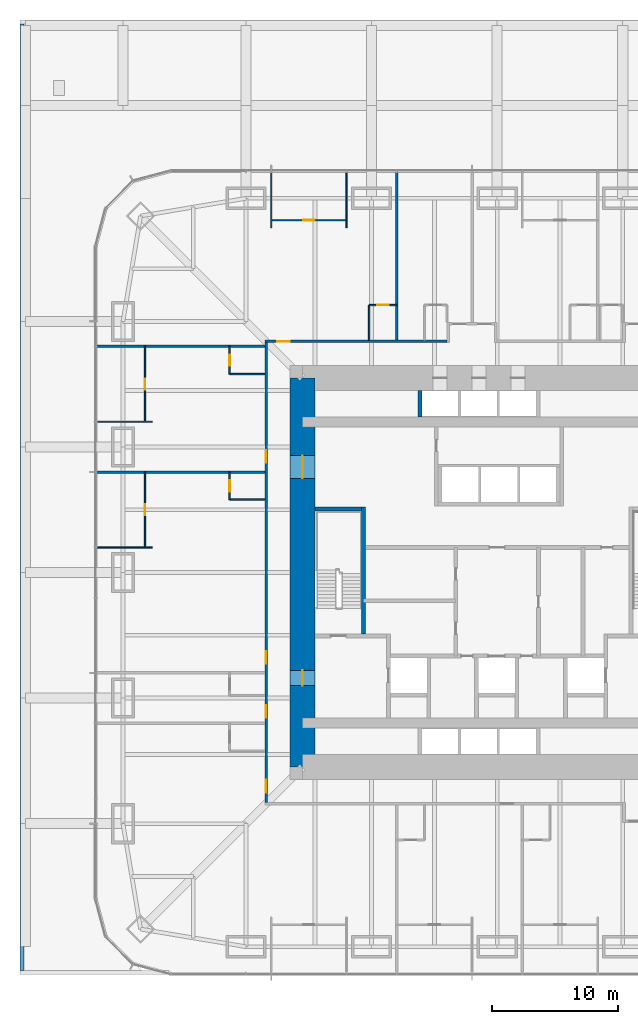
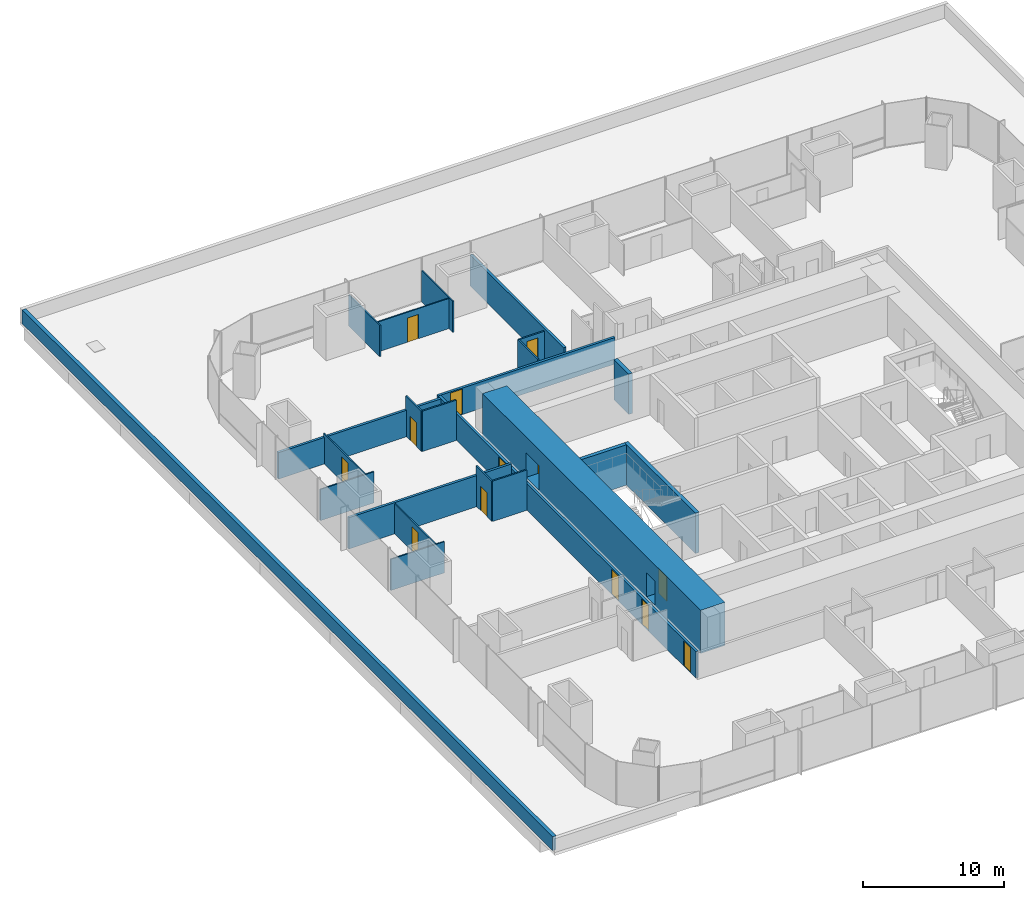
# One storey, part 16 of 20: 23 walls, 13 doors, 13 openings.
"""IFC4 building model written with IfcOpenShell, lengths in metres."""

from ifc_helpers import new_model, si_unit, direction, frame, frame_2d, origin, place, context, subcontext, project, spatial, rectangle, extrude, material, layer, layer_set, type_object, element, fill, save


model = new_model("IFC4")

# Units and contexts
model_context = context("Model", 3, precision=1e-05, world=origin(), true_north=direction((0.0, 1.0)))
body_context = subcontext(model_context, "Body", "Model", "MODEL_VIEW")
ifc_project = project(units=[si_unit("LENGTHUNIT", "METRE"), si_unit("AREAUNIT", "SQUARE_METRE"), si_unit("VOLUMEUNIT", "CUBIC_METRE"), si_unit("PLANEANGLEUNIT", "RADIAN"), si_unit("MASSUNIT", "GRAM", prefix="KILO")], contexts=[model_context])

# Site, building, storey
site_placement = place(None, origin())
site = spatial("IfcSite", under=ifc_project, at=site_placement, CompositionType="ELEMENT")
building_placement = place(site_placement, origin())
building = spatial("IfcBuilding", under=site, at=building_placement, Name="Khuree Lantern Residences", CompositionType="ELEMENT")
storey_placement = place(building_placement, frame((0.0, 0.0, 21.0)))
storey = spatial("IfcBuildingStorey", under=building, at=storey_placement, Name="L04", CompositionType="ELEMENT", Elevation=21.0)

# Wall, opening, door
ifc_material_1 = material(Name="Moisture-resistant gypsum board on steel studs", Category="steel")
ifc_layer_1 = layer(ifc_material_1, 0.125)
ifc_layer_set_1 = layer_set([ifc_layer_1], Name="BATHROOM WALL BTW125")
wall_type_1 = type_object("IfcWallType", Name="BATHROOM WALL BTW125", PredefinedType="PARTITIONING", material=ifc_layer_set_1)
wall_1_placement = place(storey_placement, frame((-8.0, 21.300048828125, 0.0), z_axis=(0.0, 0.0, 1.0), x_axis=(-1.0, 0.0, 0.0)))
wall_1 = element("IfcWall", 1, at=wall_1_placement, inside=storey, type_object=wall_type_1, Name="L04 BATHROOM WALL 06", PredefinedType="PARTITIONING", context=body_context, shape_type="SweptSolid", body=[
    extrude(rectangle(XDim=2.199951171875, YDim=0.125, at=frame_2d((1.10009765625, 0.0))), origin(), (0.0, 0.0, 1.0), 2.491943359375),
])
opening_1_placement = place(wall_1_placement, frame((0.64990234375, 0.0, 0.0)))
opening_1 = element("IfcOpeningElement", 2, at=opening_1_placement, cuts=wall_1, Name="Opening 04-039", PredefinedType="OPENING", context=body_context, shape_type="SweptSolid", body=[
    extrude(rectangle(XDim=0.89990234375, YDim=2.10009765625, at=frame_2d((0.449951171875, 1.050048828125))), frame((0.0, 0.072509765625, 0.0), z_axis=(0.0, -1.0, 0.0), x_axis=(1.0, 0.0, 0.0)), (0.0, 0.0, 1.0), 0.14501953125),
])
ifc_material_2 = material(Name="Timber door leaf in hardwood frame", Category="wood")
door_type_1 = type_object("IfcDoorType", Name="BATHROOM DOOR 900X2100", OperationType="SINGLE_SWING_LEFT", PredefinedType="DOOR", material=ifc_material_2)
door_1_placement = place(opening_1_placement, origin())
door_1 = element("IfcDoor", 3, at=door_1_placement, inside=storey, type_object=door_type_1, Name="Bathroom door 04-039", OperationType="SINGLE_SWING_LEFT", OverallHeight=2.10009765625, OverallWidth=0.89990234375, PredefinedType="DOOR", context=body_context, shape_type="SweptSolid", body=[
    extrude(rectangle(XDim=0.89990234375, YDim=2.10009765625, at=frame_2d((0.449951171875, 1.050048828125))), frame((0.0, 0.02490234375, 0.0), z_axis=(0.0, -1.0, 0.0), x_axis=(1.0, 0.0, 0.0)), (0.0, 0.0, 1.0), 0.050048828125),
])
fill(opening_1, door_1)

# Wall
wall_2_placement = place(storey_placement, frame((-10.199951171875, 18.5, 0.0), z_axis=(0.0, 0.0, 1.0), x_axis=(0.0, 1.0, 0.0)))
element("IfcWall", 4, at=wall_2_placement, inside=storey, type_object=wall_type_1, Name="L04 BATHROOM WALL 06", PredefinedType="PARTITIONING", context=body_context, shape_type="SweptSolid", body=[
    extrude(rectangle(XDim=2.800048828125, YDim=0.125, at=frame_2d((1.39990234375, 0.0))), origin(), (0.0, 0.0, 1.0), 2.491943359375),
])

# Wall, opening, door
wall_3_placement = place(storey_placement, frame((-21.300048828125, 18.0, 0.0), z_axis=(0.0, 0.0, 1.0), x_axis=(0.0, -1.0, 0.0)))
wall_3 = element("IfcWall", 5, at=wall_3_placement, inside=storey, type_object=wall_type_1, Name="L04 BATHROOM WALL 07", PredefinedType="PARTITIONING", context=body_context, shape_type="SweptSolid", body=[
    extrude(rectangle(XDim=2.199951171875, YDim=0.125, at=frame_2d((1.10009765625, 0.0))), origin(), (0.0, 0.0, 1.0), 3.5),
])
opening_2_placement = place(wall_3_placement, frame((0.64990234375, 0.0, 0.0)))
opening_2 = element("IfcOpeningElement", 6, at=opening_2_placement, cuts=wall_3, Name="Opening 04-042", PredefinedType="OPENING", context=body_context, shape_type="SweptSolid", body=[
    extrude(rectangle(XDim=0.89990234375, YDim=2.10009765625, at=frame_2d((0.449951171875, 1.050048828125))), frame((0.0, 0.072509765625, 0.0), z_axis=(0.0, -1.0, 0.0), x_axis=(1.0, 0.0, 0.0)), (0.0, 0.0, 1.0), 0.14501953125),
])
door_2_placement = place(opening_2_placement, origin())
door_2 = element("IfcDoor", 7, at=door_2_placement, inside=storey, type_object=door_type_1, Name="Bathroom door 04-042", OperationType="SINGLE_SWING_LEFT", OverallHeight=2.10009765625, OverallWidth=0.89990234375, PredefinedType="DOOR", context=body_context, shape_type="SweptSolid", body=[
    extrude(rectangle(XDim=0.89990234375, YDim=2.10009765625, at=frame_2d((0.449951171875, 1.050048828125))), frame((0.0, 0.02490234375, 0.0), z_axis=(0.0, -1.0, 0.0), x_axis=(1.0, 0.0, 0.0)), (0.0, 0.0, 1.0), 0.050048828125),
])
fill(opening_2, door_2)

# Wall
wall_4_placement = place(storey_placement, frame((-18.5, 15.800048828125, 0.0), z_axis=(0.0, 0.0, 1.0), x_axis=(-1.0, 0.0, 0.0)))
element("IfcWall", 8, at=wall_4_placement, inside=storey, type_object=wall_type_1, Name="L04 BATHROOM WALL 07", PredefinedType="PARTITIONING", context=body_context, shape_type="SweptSolid", body=[
    extrude(rectangle(XDim=2.800048828125, YDim=0.125, at=frame_2d((1.39990234375, 0.0))), origin(), (0.0, 0.0, 1.0), 3.5),
])

# Wall, opening, door
wall_5_placement = place(storey_placement, frame((-21.300048828125, 8.0, 0.0), z_axis=(0.0, 0.0, 1.0), x_axis=(0.0, -1.0, 0.0)))
wall_5 = element("IfcWall", 9, at=wall_5_placement, inside=storey, type_object=wall_type_1, Name="L04 BATHROOM WALL 08", PredefinedType="PARTITIONING", context=body_context, shape_type="SweptSolid", body=[
    extrude(rectangle(XDim=2.199951171875, YDim=0.125, at=frame_2d((1.10009765625, 0.0))), origin(), (0.0, 0.0, 1.0), 3.5),
])
opening_3_placement = place(wall_5_placement, frame((0.64990234375, 0.0, 0.0)))
opening_3 = element("IfcOpeningElement", 10, at=opening_3_placement, cuts=wall_5, Name="Opening 04-045", PredefinedType="OPENING", context=body_context, shape_type="SweptSolid", body=[
    extrude(rectangle(XDim=0.89990234375, YDim=2.10009765625, at=frame_2d((0.449951171875, 1.050048828125))), frame((0.0, 0.072509765625, 0.0), z_axis=(0.0, -1.0, 0.0), x_axis=(1.0, 0.0, 0.0)), (0.0, 0.0, 1.0), 0.14501953125),
])
door_3_placement = place(opening_3_placement, origin())
door_3 = element("IfcDoor", 11, at=door_3_placement, inside=storey, type_object=door_type_1, Name="Bathroom door 04-045", OperationType="SINGLE_SWING_LEFT", OverallHeight=2.10009765625, OverallWidth=0.89990234375, PredefinedType="DOOR", context=body_context, shape_type="SweptSolid", body=[
    extrude(rectangle(XDim=0.89990234375, YDim=2.10009765625, at=frame_2d((0.449951171875, 1.050048828125))), frame((0.0, 0.02490234375, 0.0), z_axis=(0.0, -1.0, 0.0), x_axis=(1.0, 0.0, 0.0)), (0.0, 0.0, 1.0), 0.050048828125),
])
fill(opening_3, door_3)

# Walls
wall_6_placement = place(storey_placement, frame((-18.5, 5.800048828125, 0.0), z_axis=(0.0, 0.0, 1.0), x_axis=(-1.0, 0.0, 0.0)))
element("IfcWall", 12, at=wall_6_placement, inside=storey, type_object=wall_type_1, Name="L04 BATHROOM WALL 08", PredefinedType="PARTITIONING", context=body_context, shape_type="SweptSolid", body=[
    extrude(rectangle(XDim=2.800048828125, YDim=0.125, at=frame_2d((1.39990234375, 0.0))), origin(), (0.0, 0.0, 1.0), 3.5),
])
ifc_material_3 = material(Name="Dense concrete blockwork", Category="masonry")
ifc_layer_2 = layer(ifc_material_3, 0.300048828125)
ifc_layer_set_2 = layer_set([ifc_layer_2], Name="CORE PARTITION WALL CPW300 EI 120")
wall_type_2 = type_object("IfcWallType", Name="CORE PARTITION WALL CPW300 EI 120", PredefinedType="PARTITIONING", material=ifc_layer_set_2)
wall_7_placement = place(storey_placement, frame((-6.14990234375, 12.39990234375, 0.0), z_axis=(0.0, 0.0, 1.0), x_axis=(0.0, 1.0, 0.0)))
element("IfcWall", 13, at=wall_7_placement, inside=storey, type_object=wall_type_2, Name="L04 CORE WALL PLW", PredefinedType="PARTITIONING", context=body_context, shape_type="SweptSolid", body=[
    extrude(rectangle(XDim=2.10009765625, YDim=0.300048828125, at=frame_2d((1.050048828125, 0.0))), origin(), (0.0, 0.0, 1.0), 3.5),
])

# Wall, opening, door
ifc_material_4 = material(Name="Gypsum board on steel studs", Category="steel")
ifc_layer_3 = layer(ifc_material_4, 0.199951171875)
ifc_layer_set_3 = layer_set([ifc_layer_3], Name="CORRIDOR WALL CRW200 EI 60")
wall_type_3 = type_object("IfcWallType", Name="CORRIDOR WALL CRW200 EI 60", PredefinedType="PARTITIONING", material=ifc_layer_set_3)
wall_8_placement = place(storey_placement, frame((-18.5, 18.39990234375, 0.0), z_axis=(0.0, 0.0, 1.0), x_axis=(1.0, 0.0, 0.0)))
wall_8 = element("IfcWall", 14, at=wall_8_placement, inside=storey, type_object=wall_type_3, Name="L04 CORRIDOR WALL NORTH 1", PredefinedType="PARTITIONING", context=body_context, shape_type="SweptSolid", body=[
    extrude(rectangle(XDim=14.5, YDim=0.199951171875, at=frame_2d((7.25, 0.0))), origin(), (0.0, 0.0, 1.0), 2.300048828125),
])
opening_4_placement = place(wall_8_placement, frame((0.97998046875, 0.0, 0.0)))
opening_4 = element("IfcOpeningElement", 15, at=opening_4_placement, cuts=wall_8, Name="Opening 04-040", PredefinedType="OPENING", context=body_context, shape_type="SweptSolid", body=[
    extrude(rectangle(XDim=1.0, YDim=2.199951171875, at=frame_2d((0.5, 1.10009765625))), frame((0.0, 0.10986328125, 0.0), z_axis=(0.0, -1.0, 0.0), x_axis=(1.0, 0.0, 0.0)), (0.0, 0.0, 1.0), 0.219970703125),
])
door_type_2 = type_object("IfcDoorType", Name="APARTMENT ENTRANCE DOOR 1000X2200 EI 30S", OperationType="SINGLE_SWING_LEFT", PredefinedType="DOOR", material=ifc_material_2)
door_4_placement = place(opening_4_placement, origin())
door_4 = element("IfcDoor", 16, at=door_4_placement, inside=storey, type_object=door_type_2, Name="Apartment 06 entrance door 04-040", OperationType="SINGLE_SWING_LEFT", OverallHeight=2.199951171875, OverallWidth=1.0, PredefinedType="DOOR", context=body_context, shape_type="SweptSolid", body=[
    extrude(rectangle(XDim=1.0, YDim=2.199951171875, at=frame_2d((0.5, 1.10009765625))), frame((0.0, 0.02490234375, 0.0), z_axis=(0.0, -1.0, 0.0), x_axis=(1.0, 0.0, 0.0)), (0.0, 0.0, 1.0), 0.050048828125),
])
fill(opening_4, door_4)

# Wall, openings, doors
wall_9_placement = place(storey_placement, frame((-18.39990234375, 18.300048828125, 0.0), z_axis=(0.0, 0.0, 1.0), x_axis=(0.0, -1.0, 0.0)))
wall_9 = element("IfcWall", 17, at=wall_9_placement, inside=storey, type_object=wall_type_3, Name="L04 CORRIDOR WALL WEST 1", PredefinedType="PARTITIONING", context=body_context, shape_type="SweptSolid", body=[
    extrude(rectangle(XDim=36.60009765625, YDim=0.199951171875, at=frame_2d((18.300048828125, 0.0))), origin(), (0.0, 0.0, 1.0), 2.300048828125),
])
opening_5_placement = place(wall_9_placement, frame((8.570068359375, 0.0, 0.0)))
opening_5 = element("IfcOpeningElement", 18, at=opening_5_placement, cuts=wall_9, Name="Opening 04-043", PredefinedType="OPENING", context=body_context, shape_type="SweptSolid", body=[
    extrude(rectangle(XDim=1.0, YDim=2.199951171875, at=frame_2d((0.5, 1.10009765625))), frame((0.0, 0.10986328125, 0.0), z_axis=(0.0, -1.0, 0.0), x_axis=(1.0, 0.0, 0.0)), (0.0, 0.0, 1.0), 0.219970703125),
])
opening_6_placement = place(wall_9_placement, frame((24.570068359375, 0.0, 0.0)))
opening_6 = element("IfcOpeningElement", 19, at=opening_6_placement, cuts=wall_9, Name="Opening 04-046", PredefinedType="OPENING", context=body_context, shape_type="SweptSolid", body=[
    extrude(rectangle(XDim=1.0, YDim=2.199951171875, at=frame_2d((0.5, 1.10009765625))), frame((0.0, 0.10986328125, 0.0), z_axis=(0.0, -1.0, 0.0), x_axis=(1.0, 0.0, 0.0)), (0.0, 0.0, 1.0), 0.219970703125),
])
opening_7_placement = place(wall_9_placement, frame((28.8701171875, 0.0, 0.0)))
opening_7 = element("IfcOpeningElement", 20, at=opening_7_placement, cuts=wall_9, Name="Opening 04-048", PredefinedType="OPENING", context=body_context, shape_type="SweptSolid", body=[
    extrude(rectangle(XDim=1.0, YDim=2.199951171875, at=frame_2d((0.5, 1.10009765625))), frame((0.0, 0.10986328125, 0.0), z_axis=(0.0, -1.0, 0.0), x_axis=(1.0, 0.0, 0.0)), (0.0, 0.0, 1.0), 0.219970703125),
])
opening_8_placement = place(wall_9_placement, frame((34.820068359375, 0.0, 0.0)))
opening_8 = element("IfcOpeningElement", 21, at=opening_8_placement, cuts=wall_9, Name="Opening 04-051", PredefinedType="OPENING", context=body_context, shape_type="SweptSolid", body=[
    extrude(rectangle(XDim=1.0, YDim=2.199951171875, at=frame_2d((0.5, 1.10009765625))), frame((0.0, 0.10986328125, 0.0), z_axis=(0.0, -1.0, 0.0), x_axis=(1.0, 0.0, 0.0)), (0.0, 0.0, 1.0), 0.219970703125),
])
door_5_placement = place(opening_5_placement, origin())
door_5 = element("IfcDoor", 22, at=door_5_placement, inside=storey, type_object=door_type_2, Name="Apartment 07 entrance door 04-043", OperationType="SINGLE_SWING_LEFT", OverallHeight=2.199951171875, OverallWidth=1.0, PredefinedType="DOOR", context=body_context, shape_type="SweptSolid", body=[
    extrude(rectangle(XDim=1.0, YDim=2.199951171875, at=frame_2d((0.5, 1.10009765625))), frame((0.0, 0.02490234375, 0.0), z_axis=(0.0, -1.0, 0.0), x_axis=(1.0, 0.0, 0.0)), (0.0, 0.0, 1.0), 0.050048828125),
])
fill(opening_5, door_5)
door_6_placement = place(opening_6_placement, origin())
door_6 = element("IfcDoor", 23, at=door_6_placement, inside=storey, type_object=door_type_2, Name="Apartment 08 entrance door 04-046", OperationType="SINGLE_SWING_LEFT", OverallHeight=2.199951171875, OverallWidth=1.0, PredefinedType="DOOR", context=body_context, shape_type="SweptSolid", body=[
    extrude(rectangle(XDim=1.0, YDim=2.199951171875, at=frame_2d((0.5, 1.10009765625))), frame((0.0, 0.02490234375, 0.0), z_axis=(0.0, -1.0, 0.0), x_axis=(1.0, 0.0, 0.0)), (0.0, 0.0, 1.0), 0.050048828125),
])
fill(opening_6, door_6)
door_7_placement = place(opening_7_placement, origin())
door_7 = element("IfcDoor", 24, at=door_7_placement, inside=storey, type_object=door_type_2, Name="Apartment 09 entrance door 04-048", OperationType="SINGLE_SWING_LEFT", OverallHeight=2.199951171875, OverallWidth=1.0, PredefinedType="DOOR", context=body_context, shape_type="SweptSolid", body=[
    extrude(rectangle(XDim=1.0, YDim=2.199951171875, at=frame_2d((0.5, 1.10009765625))), frame((0.0, 0.02490234375, 0.0), z_axis=(0.0, -1.0, 0.0), x_axis=(1.0, 0.0, 0.0)), (0.0, 0.0, 1.0), 0.050048828125),
])
fill(opening_7, door_7)
door_type_3 = type_object("IfcDoorType", Name="APARTMENT ENTRANCE DOOR 1000X2200 EI 30S RIGHT HAND", OperationType="SINGLE_SWING_RIGHT", PredefinedType="DOOR", material=ifc_material_2)
door_8_placement = place(opening_8_placement, origin())
door_8 = element("IfcDoor", 25, at=door_8_placement, inside=storey, type_object=door_type_3, Name="Apartment 10 entrance door 04-051", OperationType="SINGLE_SWING_RIGHT", OverallHeight=2.199951171875, OverallWidth=1.0, PredefinedType="DOOR", context=body_context, shape_type="SweptSolid", body=[
    extrude(rectangle(XDim=1.0, YDim=2.199951171875, at=frame_2d((0.5, 1.10009765625))), frame((0.0, 0.02490234375, 0.0), z_axis=(0.0, -1.0, 0.0), x_axis=(1.0, 0.0, 0.0)), (0.0, 0.0, 1.0), 0.050048828125),
])
fill(opening_8, door_8)

ifc_material_5 = material(Name="Concrete C70/85", Category="concrete")
ifc_layer_4 = layer(ifc_material_5, 2.0)
ifc_layer_set_4 = layer_set([ifc_layer_4], Name="CW2000-C70 CORE WALL C70 2000")
wall_type_4 = type_object("IfcWallType", Name="CW2000-C70 CORE WALL C70 2000", PredefinedType="SHEAR", material=ifc_layer_set_4)
wall_10_placement = place(storey_placement, frame((-15.5, -15.5, -0.25), z_axis=(0.0, 0.0, 1.0), x_axis=(0.0, 1.0, 0.0)))
wall_10 = element("IfcWall", 26, at=wall_10_placement, inside=storey, type_object=wall_type_4, Name="Core wall W", PredefinedType="SHEAR", context=body_context, shape_type="SweptSolid", body=[
    extrude(rectangle(XDim=31.0, YDim=2.0, at=frame_2d((15.5, 0.0))), origin(), (0.0, 0.0, 1.0), 3.75),
])
opening_9_placement = place(wall_10_placement, frame((6.5, 0.0, 0.25)))
opening_9 = element("IfcOpeningElement", 27, at=opening_9_placement, cuts=wall_10, Name="Opening 04-002", PredefinedType="OPENING", context=body_context, shape_type="SweptSolid", body=[
    extrude(rectangle(XDim=1.199951171875, YDim=2.10009765625, at=frame_2d((0.60009765625, 1.050048828125))), frame((0.0, 1.010009765625, 0.0), z_axis=(0.0, -1.0, 0.0), x_axis=(1.0, 0.0, 0.0)), (0.0, 0.0, 1.0), 2.02001953125),
])
opening_10_placement = place(wall_10_placement, frame((23.0, 0.0, 0.25)))
opening_10 = element("IfcOpeningElement", 28, at=opening_10_placement, cuts=wall_10, Name="Opening 04-003", PredefinedType="OPENING", context=body_context, shape_type="SweptSolid", body=[
    extrude(rectangle(XDim=1.800048828125, YDim=2.10009765625, at=frame_2d((0.89990234375, 1.050048828125))), frame((0.0, 1.010009765625, 0.0), z_axis=(0.0, -1.0, 0.0), x_axis=(1.0, 0.0, 0.0)), (0.0, 0.0, 1.0), 2.02001953125),
])
ifc_material_6 = material(Name="Steel door leaf in steel frame", Category="steel")
door_type_4 = type_object("IfcDoorType", Name="LOBBY DOOR 1200X2100 EI 120", OperationType="SINGLE_SWING_LEFT", PredefinedType="DOOR", material=ifc_material_6)
door_9_placement = place(opening_9_placement, origin())
door_9 = element("IfcDoor", 29, at=door_9_placement, inside=storey, type_object=door_type_4, Name="Firefighting lobby door 04-002", OperationType="SINGLE_SWING_LEFT", OverallHeight=2.10009765625, OverallWidth=1.199951171875, PredefinedType="DOOR", context=body_context, shape_type="SweptSolid", body=[
    extrude(rectangle(XDim=1.199951171875, YDim=2.10009765625, at=frame_2d((0.60009765625, 1.050048828125))), frame((0.0, 0.02490234375, 0.0), z_axis=(0.0, -1.0, 0.0), x_axis=(1.0, 0.0, 0.0)), (0.0, 0.0, 1.0), 0.050048828125),
])
fill(opening_9, door_9)
door_type_5 = type_object("IfcDoorType", Name="LOBBY DOUBLE DOOR 1800X2100 EI 60", OperationType="DOUBLE_DOOR_SINGLE_SWING", PredefinedType="DOOR", material=ifc_material_6)
door_10_placement = place(opening_10_placement, origin())
door_10 = element("IfcDoor", 30, at=door_10_placement, inside=storey, type_object=door_type_5, Name="Lift lobby door 04-003", OperationType="DOUBLE_DOOR_SINGLE_SWING", OverallHeight=2.10009765625, OverallWidth=1.800048828125, PredefinedType="DOOR", context=body_context, shape_type="SweptSolid", body=[
    extrude(rectangle(XDim=1.800048828125, YDim=2.10009765625, at=frame_2d((0.89990234375, 1.050048828125))), frame((0.0, 0.02490234375, 0.0), z_axis=(0.0, -1.0, 0.0), x_axis=(1.0, 0.0, 0.0)), (0.0, 0.0, 1.0), 0.050048828125),
])
fill(opening_10, door_10)

# Walls
ifc_layer_5 = layer(ifc_material_4, 0.199951171875)
ifc_layer_set_5 = layer_set([ifc_layer_5], Name="DEMISING WALL DMW200 EI 90")
wall_type_5 = type_object("IfcWallType", Name="DEMISING WALL DMW200 EI 90", PredefinedType="PARTITIONING", material=ifc_layer_set_5)
wall_11_placement = place(storey_placement, frame((-8.0, 18.5, 0.0), z_axis=(0.0, 0.0, 1.0), x_axis=(0.0, 1.0, 0.0)))
element("IfcWall", 31, at=wall_11_placement, inside=storey, type_object=wall_type_5, Name="L04 DEMISING WALL 06", PredefinedType="PARTITIONING", context=body_context, shape_type="SweptSolid", body=[
    extrude(rectangle(XDim=13.35009765625, YDim=0.199951171875, at=frame_2d((6.675048828125, 0.0))), origin(), (0.0, 0.0, 1.0), 2.7099609375),
])
wall_12_placement = place(storey_placement, frame((-18.5, 18.0, 0.0), z_axis=(0.0, 0.0, 1.0), x_axis=(-1.0, 0.0, 0.0)))
element("IfcWall", 32, at=wall_12_placement, inside=storey, type_object=wall_type_5, Name="L04 DEMISING WALL 07", PredefinedType="PARTITIONING", context=body_context, shape_type="SweptSolid", body=[
    extrude(rectangle(XDim=13.35009765625, YDim=0.199951171875, at=frame_2d((6.675048828125, 0.0))), origin(), (0.0, 0.0, 1.0), 2.300048828125),
])
wall_13_placement = place(storey_placement, frame((-18.5, 8.0, 0.0), z_axis=(0.0, 0.0, 1.0), x_axis=(-1.0, 0.0, 0.0)))
element("IfcWall", 33, at=wall_13_placement, inside=storey, type_object=wall_type_5, Name="L04 DEMISING WALL 08", PredefinedType="PARTITIONING", context=body_context, shape_type="SweptSolid", body=[
    extrude(rectangle(XDim=13.35009765625, YDim=0.199951171875, at=frame_2d((6.675048828125, 0.0))), origin(), (0.0, 0.0, 1.0), 2.7099609375),
])
ifc_material_7 = material(Name="Precast concrete parapet with granite coping", Category="masonry")
ifc_layer_6 = layer(ifc_material_7, 0.300048828125)
ifc_layer_set_6 = layer_set([ifc_layer_6], Name="PARAPET PP1 300")
wall_type_6 = type_object("IfcWallType", Name="PARAPET PP1 300", PredefinedType="PARAPET", material=ifc_layer_set_6)
wall_14_placement = place(storey_placement, frame((-37.85009765625, 43.699951171875, 0.0), z_axis=(0.0, 0.0, 1.0), x_axis=(0.0, -1.0, 0.0)))
element("IfcWall", 34, at=wall_14_placement, inside=storey, type_object=wall_type_6, Name="PODIUM ROOF PARAPET 5", PredefinedType="PARAPET", context=body_context, shape_type="SweptSolid", body=[
    extrude(rectangle(XDim=75.39990234375, YDim=0.300048828125, at=frame_2d((37.699951171875, 0.0))), origin(), (0.0, 0.0, 1.0), 1.199951171875),
])
ifc_layer_7 = layer(ifc_material_4, 0.10009765625)
ifc_layer_set_7 = layer_set([ifc_layer_7], Name="PARTITION PT100")
wall_type_7 = type_object("IfcWallType", Name="PARTITION PT100", PredefinedType="PARTITIONING", material=ifc_layer_set_7)
for number, where, z_axis, x_axis, name in (
    (35, (-12.0, 27.449951171875, 0.0), (0.0, 0.0, 1.0), (0.0, 1.0, 0.0), "L04 PARTITION 06"),
    (36, (-18.0, 27.449951171875, 0.0), (0.0, 0.0, 1.0), (0.0, 1.0, 0.0), "L04 PARTITION 06"),
    (37, (-27.449951171875, 12.0, 0.0), (0.0, 0.0, 1.0), (-1.0, 0.0, 0.0), "L04 PARTITION 07"),
    (38, (-27.449951171875, 2.0, 0.0), (0.0, 0.0, 1.0), (-1.0, 0.0, 0.0), "L04 PARTITION 08"),
):
    element("IfcWall", number, at=place(storey_placement, frame(where, z_axis=z_axis, x_axis=x_axis)), inside=storey, type_object=wall_type_7, Name=name, PredefinedType="PARTITIONING", context=body_context, shape_type="SweptSolid", body=[
        extrude(rectangle(XDim=4.400146484375, YDim=0.10009765625, at=frame_2d((2.2001953125, 0.0))), origin(), (0.0, 0.0, 1.0), 2.7099609375),
    ])

# Wall, opening, door
wall_15_placement = place(storey_placement, frame((-12.0, 28.050048828125, 0.0), z_axis=(0.0, 0.0, 1.0), x_axis=(-1.0, 0.0, 0.0)))
wall_15 = element("IfcWall", 39, at=wall_15_placement, inside=storey, type_object=wall_type_7, Name="L04 PARTITION 06", PredefinedType="PARTITIONING", context=body_context, shape_type="SweptSolid", body=[
    extrude(rectangle(XDim=6.0, YDim=0.10009765625, at=frame_2d((3.0, 0.0))), origin(), (0.0, 0.0, 1.0), 2.610107421875),
])
opening_11_placement = place(wall_15_placement, frame((2.550048828125, 0.0, 0.0)))
opening_11 = element("IfcOpeningElement", 40, at=opening_11_placement, cuts=wall_15, Name="Opening 04-038", PredefinedType="OPENING", context=body_context, shape_type="SweptSolid", body=[
    extrude(rectangle(XDim=0.89990234375, YDim=2.10009765625, at=frame_2d((0.449951171875, 1.050048828125))), frame((0.0, 0.06005859375, 0.0), z_axis=(0.0, -1.0, 0.0), x_axis=(1.0, 0.0, 0.0)), (0.0, 0.0, 1.0), 0.1201171875),
])
door_type_6 = type_object("IfcDoorType", Name="BEDROOM DOOR 900X2100", OperationType="SINGLE_SWING_LEFT", PredefinedType="DOOR", material=ifc_material_2)
door_11_placement = place(opening_11_placement, origin())
door_11 = element("IfcDoor", 41, at=door_11_placement, inside=storey, type_object=door_type_6, Name="Bedroom door 04-038", OperationType="SINGLE_SWING_LEFT", OverallHeight=2.10009765625, OverallWidth=0.89990234375, PredefinedType="DOOR", context=body_context, shape_type="SweptSolid", body=[
    extrude(rectangle(XDim=0.89990234375, YDim=2.10009765625, at=frame_2d((0.449951171875, 1.050048828125))), frame((0.0, 0.02490234375, 0.0), z_axis=(0.0, -1.0, 0.0), x_axis=(1.0, 0.0, 0.0)), (0.0, 0.0, 1.0), 0.050048828125),
])
fill(opening_11, door_11)

wall_16_placement = place(storey_placement, frame((-28.050048828125, 18.0, 0.0), z_axis=(0.0, 0.0, 1.0), x_axis=(0.0, -1.0, 0.0)))
wall_16 = element("IfcWall", 42, at=wall_16_placement, inside=storey, type_object=wall_type_7, Name="L04 PARTITION 07", PredefinedType="PARTITIONING", context=body_context, shape_type="SweptSolid", body=[
    extrude(rectangle(XDim=6.0, YDim=0.10009765625, at=frame_2d((3.0, 0.0))), origin(), (0.0, 0.0, 1.0), 2.610107421875),
])
opening_12_placement = place(wall_16_placement, frame((2.550048828125, 0.0, 0.0)))
opening_12 = element("IfcOpeningElement", 43, at=opening_12_placement, cuts=wall_16, Name="Opening 04-041", PredefinedType="OPENING", context=body_context, shape_type="SweptSolid", body=[
    extrude(rectangle(XDim=0.89990234375, YDim=2.10009765625, at=frame_2d((0.449951171875, 1.050048828125))), frame((0.0, 0.06005859375, 0.0), z_axis=(0.0, -1.0, 0.0), x_axis=(1.0, 0.0, 0.0)), (0.0, 0.0, 1.0), 0.1201171875),
])
door_12_placement = place(opening_12_placement, origin())
door_12 = element("IfcDoor", 44, at=door_12_placement, inside=storey, type_object=door_type_6, Name="Bedroom door 04-041", OperationType="SINGLE_SWING_LEFT", OverallHeight=2.10009765625, OverallWidth=0.89990234375, PredefinedType="DOOR", context=body_context, shape_type="SweptSolid", body=[
    extrude(rectangle(XDim=0.89990234375, YDim=2.10009765625, at=frame_2d((0.449951171875, 1.050048828125))), frame((0.0, 0.02490234375, 0.0), z_axis=(0.0, -1.0, 0.0), x_axis=(1.0, 0.0, 0.0)), (0.0, 0.0, 1.0), 0.050048828125),
])
fill(opening_12, door_12)

wall_17_placement = place(storey_placement, frame((-28.050048828125, 8.0, 0.0), z_axis=(0.0, 0.0, 1.0), x_axis=(0.0, -1.0, 0.0)))
wall_17 = element("IfcWall", 45, at=wall_17_placement, inside=storey, type_object=wall_type_7, Name="L04 PARTITION 08", PredefinedType="PARTITIONING", context=body_context, shape_type="SweptSolid", body=[
    extrude(rectangle(XDim=6.0, YDim=0.10009765625, at=frame_2d((3.0, 0.0))), origin(), (0.0, 0.0, 1.0), 2.610107421875),
])
opening_13_placement = place(wall_17_placement, frame((2.550048828125, 0.0, 0.0)))
opening_13 = element("IfcOpeningElement", 46, at=opening_13_placement, cuts=wall_17, Name="Opening 04-044", PredefinedType="OPENING", context=body_context, shape_type="SweptSolid", body=[
    extrude(rectangle(XDim=0.89990234375, YDim=2.10009765625, at=frame_2d((0.449951171875, 1.050048828125))), frame((0.0, 0.06005859375, 0.0), z_axis=(0.0, -1.0, 0.0), x_axis=(1.0, 0.0, 0.0)), (0.0, 0.0, 1.0), 0.1201171875),
])
door_13_placement = place(opening_13_placement, origin())
door_13 = element("IfcDoor", 47, at=door_13_placement, inside=storey, type_object=door_type_6, Name="Bedroom door 04-044", OperationType="SINGLE_SWING_LEFT", OverallHeight=2.10009765625, OverallWidth=0.89990234375, PredefinedType="DOOR", context=body_context, shape_type="SweptSolid", body=[
    extrude(rectangle(XDim=0.89990234375, YDim=2.10009765625, at=frame_2d((0.449951171875, 1.050048828125))), frame((0.0, 0.02490234375, 0.0), z_axis=(0.0, -1.0, 0.0), x_axis=(1.0, 0.0, 0.0)), (0.0, 0.0, 1.0), 0.050048828125),
])
fill(opening_13, door_13)

# Walls
ifc_material_8 = material(Name="Concrete C50/60", Category="concrete")
ifc_layer_8 = layer(ifc_material_8, 0.300048828125)
ifc_layer_set_8 = layer_set([ifc_layer_8], Name="STAIR WALL SRW300 C50/60 REI 240")
wall_type_8 = type_object("IfcWallType", Name="STAIR WALL SRW300 C50/60 REI 240", PredefinedType="SOLIDWALL", material=ifc_layer_set_8)
wall_18_placement = place(storey_placement, frame((-10.64990234375, -4.89990234375, 0.0), z_axis=(0.0, 0.0, 1.0), x_axis=(0.0, 1.0, 0.0)))
element("IfcWall", 48, at=wall_18_placement, inside=storey, type_object=wall_type_8, Name="L04 STAIR WALL ST1E", PredefinedType="SOLIDWALL", context=body_context, shape_type="SweptSolid", body=[
    extrude(rectangle(XDim=10.099853515625, YDim=0.300048828125, at=frame_2d((5.0498046875, 0.0))), origin(), (0.0, 0.0, 1.0), 3.5),
])
wall_19_placement = place(storey_placement, frame((-14.5, 5.050048828125, 0.0), z_axis=(0.0, 0.0, 1.0), x_axis=(1.0, 0.0, 0.0)))
element("IfcWall", 49, at=wall_19_placement, inside=storey, type_object=wall_type_8, Name="L04 STAIR WALL ST1N", PredefinedType="SOLIDWALL", context=body_context, shape_type="SweptSolid", body=[
    extrude(rectangle(XDim=3.699951171875, YDim=0.300048828125, at=frame_2d((1.85009765625, 0.0))), origin(), (0.0, 0.0, 1.0), 3.5),
])

save(model, "model.ifc")
